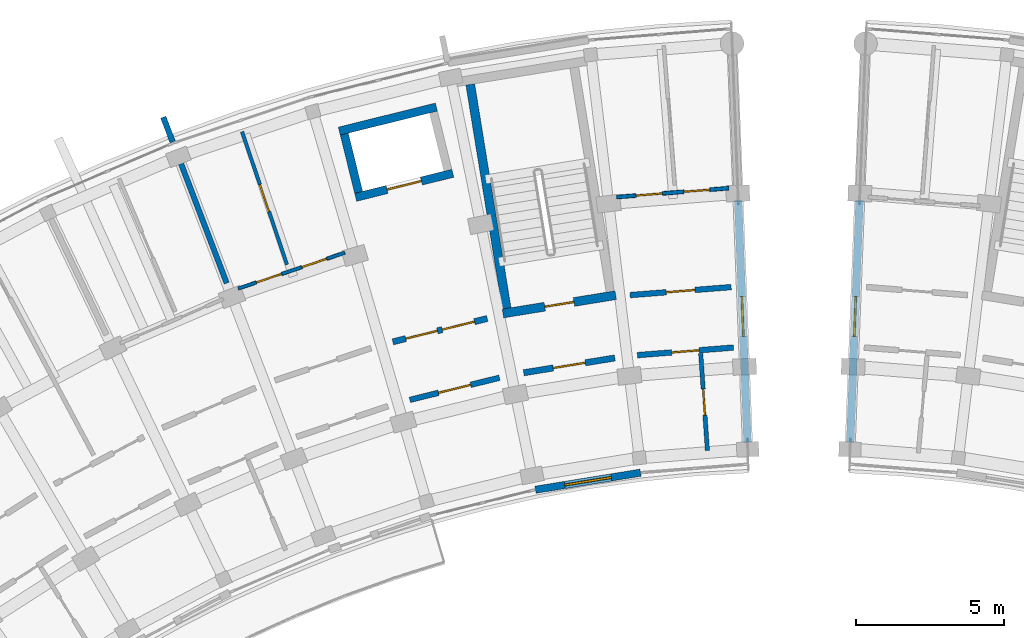
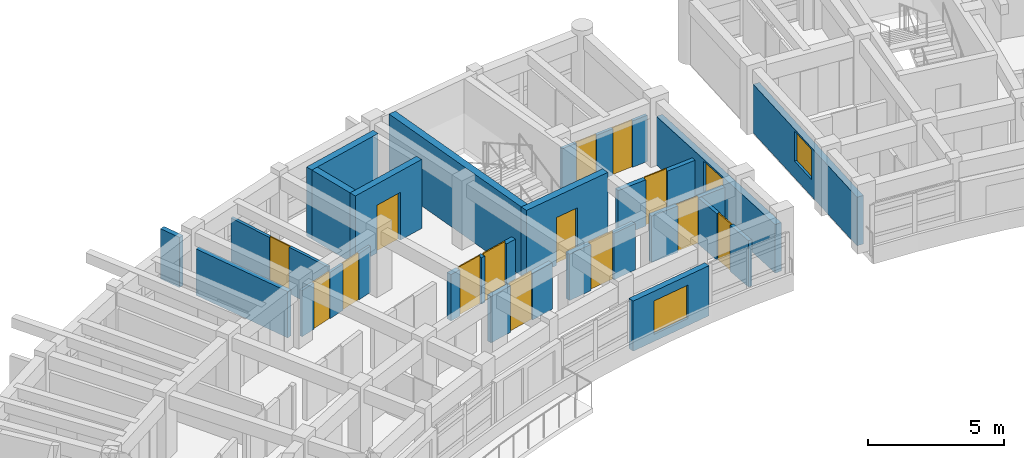
# One storey, part 29 of 56: 19 walls, 14 doors, 3 windows, 17 openings.
"""IFC4 building model written with IfcOpenShell, lengths in metres."""

from ifc_helpers import new_model, si_unit, direction, frame, frame_2d, origin, place, context, subcontext, project, spatial, rectangle, extrude, material, layer, layer_set, type_object, element, fill, save


model = new_model("IFC4")

# Units and contexts
model_context = context("Model", 3, precision=1e-05, world=origin(), true_north=direction((0.0, 1.0)))
body_context = subcontext(model_context, "Body", "Model", "MODEL_VIEW")
ifc_project = project(units=[si_unit("LENGTHUNIT", "METRE"), si_unit("AREAUNIT", "SQUARE_METRE"), si_unit("VOLUMEUNIT", "CUBIC_METRE"), si_unit("PLANEANGLEUNIT", "RADIAN"), si_unit("MASSUNIT", "GRAM", prefix="KILO")], contexts=[model_context])

# Site, building, storey
site_placement = place(None, origin())
site = spatial("IfcSite", under=ifc_project, at=site_placement, CompositionType="ELEMENT")
building_placement = place(site_placement, origin())
building = spatial("IfcBuilding", under=site, at=building_placement, Name="Zimvara Arc Housing Community", CompositionType="ELEMENT")
storey_placement = place(building_placement, frame((0.0, 0.0, 17.39990234375)))
storey = spatial("IfcBuildingStorey", under=building, at=storey_placement, Name="L05", CompositionType="ELEMENT", Elevation=17.39990234375)

# Wall, opening, window
ifc_material_1 = material(Name="Board-Marked Fair-Faced Concrete C35/45", Category="concrete")
ifc_layer_1 = layer(ifc_material_1, 0.264892578125)
ifc_layer_set_1 = layer_set([ifc_layer_1], Name="Board-Marked Fair-Faced Concrete C35/45")
wall_type_1 = type_object("IfcWallType", Name="EWL-CONC-265", PredefinedType="SOLIDWALL", material=ifc_layer_set_1)
wall_1_placement = place(storey_placement, frame((43.2587890625, 89.82666015625, 0.0), z_axis=(0.0, 0.0, 1.0), x_axis=(-0.038407966241, 0.999262141847, 0.0)))
wall_1 = element("IfcWall", 1, at=wall_1_placement, inside=storey, type_object=wall_type_1, Name="ewall:blkA:L05:gN", PredefinedType="SOLIDWALL", context=body_context, shape_type="SweptSolid", body=[
    extrude(rectangle(XDim=8.199951171875, YDim=0.264892578125, at=frame_2d((4.10009765625, 0.0))), origin(), (0.0, 0.0, 1.0), 2.18017578125),
])
opening_1_placement = place(wall_1_placement, frame((3.590087890625, 0.0, 0.75)))
opening_1 = element("IfcOpeningElement", 2, at=opening_1_placement, cuts=wall_1, Name="Opening W12", PredefinedType="OPENING", context=body_context, shape_type="SweptSolid", body=[
    extrude(rectangle(XDim=1.35009765625, YDim=1.35009765625, at=frame_2d((0.675048828125, 0.675048828125))), frame((0.0, 0.142333984375, 0.0), z_axis=(0.0, -1.0, 0.0), x_axis=(1.0, 0.0, 0.0)), (0.0, 0.0, 1.0), 0.284912109375),
])
ifc_material_2 = material(Name="Solar Control Low-E Double Glazing", Category="glass")
window_type_1 = type_object("IfcWindowType", Name="WIN-RES-1350x1350", PartitioningType="DOUBLE_PANEL_VERTICAL", PredefinedType="WINDOW", material=ifc_material_2)
window_1_placement = place(opening_1_placement, origin())
window_1 = element("IfcWindow", 3, at=window_1_placement, inside=storey, type_object=window_type_1, Name="win:blkA:L05:gN:w", OverallHeight=1.35009765625, OverallWidth=1.35009765625, PartitioningType="DOUBLE_PANEL_VERTICAL", PredefinedType="WINDOW", context=body_context, shape_type="SweptSolid", body=[
    extrude(rectangle(XDim=1.35009765625, YDim=1.35009765625, at=frame_2d((0.675048828125, 0.675048828125))), frame((0.0, 0.030029296875, 0.0), z_axis=(0.0, -1.0, 0.0), x_axis=(1.0, 0.0, 0.0)), (0.0, 0.0, 1.0), 0.06005859375),
])
fill(opening_1, window_1)

wall_2_placement = place(storey_placement, frame((46.7412109375, 89.82666015625, 0.0), z_axis=(0.0, 0.0, 1.0), x_axis=(0.038407966241, 0.999262141847, 0.0)))
wall_2 = element("IfcWall", 4, at=wall_2_placement, inside=storey, type_object=wall_type_1, Name="ewall:blkB:L05:g0", PredefinedType="SOLIDWALL", context=body_context, shape_type="SweptSolid", body=[
    extrude(rectangle(XDim=8.199951171875, YDim=0.264892578125, at=frame_2d((4.10009765625, 0.0))), origin(), (0.0, 0.0, 1.0), 2.18017578125),
])
opening_2_placement = place(wall_2_placement, frame((3.590087890625, 0.0, 0.75)))
opening_2 = element("IfcOpeningElement", 5, at=opening_2_placement, cuts=wall_2, Name="Opening W12", PredefinedType="OPENING", context=body_context, shape_type="SweptSolid", body=[
    extrude(rectangle(XDim=1.35009765625, YDim=1.35009765625, at=frame_2d((0.675048828125, 0.675048828125))), frame((0.0, 0.142333984375, 0.0), z_axis=(0.0, -1.0, 0.0), x_axis=(1.0, 0.0, 0.0)), (0.0, 0.0, 1.0), 0.284912109375),
])
window_2_placement = place(opening_2_placement, origin())
window_2 = element("IfcWindow", 6, at=window_2_placement, inside=storey, type_object=window_type_1, Name="win:blkB:L05:g0:w", OverallHeight=1.35009765625, OverallWidth=1.35009765625, PartitioningType="DOUBLE_PANEL_VERTICAL", PredefinedType="WINDOW", context=body_context, shape_type="SweptSolid", body=[
    extrude(rectangle(XDim=1.35009765625, YDim=1.35009765625, at=frame_2d((0.675048828125, 0.675048828125))), frame((0.0, 0.030029296875, 0.0), z_axis=(0.0, -1.0, 0.0), x_axis=(1.0, 0.0, 0.0)), (0.0, 0.0, 1.0), 0.06005859375),
])
fill(opening_2, window_2)

# Wall
ifc_material_3 = material(Name="Board-Marked Fair-Faced Concrete C35/45", Category="concrete")
ifc_layer_2 = layer(ifc_material_3, 0.195068359375)
ifc_layer_set_2 = layer_set([ifc_layer_2], Name="Board-Marked Fair-Faced Concrete C35/45")
wall_type_2 = type_object("IfcWallType", Name="EWL-PARA-195", PredefinedType="PARAPET", material=ifc_layer_set_2)
wall_3_placement = place(storey_placement, frame((23.783203125, 100.0029296875, 0.0), z_axis=(0.0, 0.0, 1.0), x_axis=(-0.356942580168, 0.934126326823, 0.0)))
element("IfcWall", 7, at=wall_3_placement, inside=storey, type_object=wall_type_2, Name="finwall:blkA:L05:out:b6", PredefinedType="PARAPET", context=body_context, shape_type="SweptSolid", body=[
    extrude(rectangle(XDim=0.900146484375, YDim=0.195068359375, at=frame_2d((0.4501953125, 0.0))), origin(), (0.0, 0.0, 1.0), 2.25),
])

# Wall, opening, window
ifc_material_4 = material(Name="Pigmented Fair-Faced Concrete C35/45", Category="concrete")
ifc_layer_3 = layer(ifc_material_4, 0.2451171875)
ifc_layer_set_3 = layer_set([ifc_layer_3], Name="Pigmented Fair-Faced Concrete C35/45")
wall_type_3 = type_object("IfcWallType", Name="EWL-PIGM-245", PredefinedType="SOLIDWALL", material=ifc_layer_set_3)
wall_4_placement = place(storey_placement, frame((36.078125, 88.218017578125, 0.0), z_axis=(0.0, 0.0, 1.0), x_axis=(0.987080874485, 0.160222804952, 0.0)))
wall_4 = element("IfcWall", 8, at=wall_4_placement, inside=storey, type_object=wall_type_3, Name="ewall:blkA:L05:in:b8", PredefinedType="SOLIDWALL", context=body_context, shape_type="SweptSolid", body=[
    extrude(rectangle(XDim=3.603759765625, YDim=0.2451171875, at=frame_2d((1.8017578125, 0.0))), origin(), (0.0, 0.0, 1.0), 2.25),
])
opening_3_placement = place(wall_4_placement, frame((1.001708984375, 0.0, 0.320068359375)))
opening_3 = element("IfcOpeningElement", 9, at=opening_3_placement, cuts=wall_4, Name="Opening W03", PredefinedType="OPENING", context=body_context, shape_type="SweptSolid", body=[
    extrude(rectangle(XDim=1.60009765625, YDim=1.5, at=frame_2d((0.800048828125, 0.75))), frame((0.0, 0.132568359375, 0.0), z_axis=(0.0, -1.0, 0.0), x_axis=(1.0, 0.0, 0.0)), (0.0, 0.0, 1.0), 0.26513671875),
])
ifc_material_5 = material(Name="Solar Control Low-E Double Glazing", Category="glass")
window_type_2 = type_object("IfcWindowType", Name="WIN-RES-1600x1500", PartitioningType="DOUBLE_PANEL_VERTICAL", PredefinedType="WINDOW", material=ifc_material_5)
window_3_placement = place(opening_3_placement, origin())
window_3 = element("IfcWindow", 10, at=window_3_placement, inside=storey, type_object=window_type_2, Name="win:blkA:L05:in:b8", OverallHeight=1.5, OverallWidth=1.60009765625, PartitioningType="DOUBLE_PANEL_VERTICAL", PredefinedType="WINDOW", context=body_context, shape_type="SweptSolid", body=[
    extrude(rectangle(XDim=1.60009765625, YDim=1.5, at=frame_2d((0.800048828125, 0.75))), frame((0.0, 0.030029296875, 0.0), z_axis=(0.0, -1.0, 0.0), x_axis=(1.0, 0.0, 0.0)), (0.0, 0.0, 1.0), 0.06005859375),
])
fill(opening_3, window_3)

# Wall, openings, doors
ifc_material_6 = material(Name="Concrete C35/45", Category="concrete")
ifc_layer_4 = layer(ifc_material_6, 0.2099609375)
ifc_layer_set_4 = layer_set([ifc_layer_4], Name="Concrete C35/45")
wall_type_4 = type_object("IfcWallType", Name="IWL-CCF-210", PredefinedType="SOLIDWALL", material=ifc_layer_set_4)
wall_5_placement = place(storey_placement, frame((31.242919921875, 93.22998046875, 0.0), z_axis=(0.0, 0.0, 1.0), x_axis=(0.970719238682, 0.240216901263, 0.0)))
wall_5 = element("IfcWall", 11, at=wall_5_placement, inside=storey, type_object=wall_type_4, Name="iwall:blkA:L05:ll_div:b7", PredefinedType="SOLIDWALL", context=body_context, shape_type="SweptSolid", body=[
    extrude(rectangle(XDim=3.2958984375, YDim=0.2099609375, at=frame_2d((1.64794921875, 0.0))), origin(), (0.0, 0.0, 1.0), 2.080078125),
])
opening_4_placement = place(wall_5_placement, frame((0.449951171875, 0.0, 0.0)))
opening_4 = element("IfcOpeningElement", 12, at=opening_4_placement, cuts=wall_5, Name="Opening FD-CCF1", PredefinedType="OPENING", context=body_context, shape_type="SweptSolid", body=[
    extrude(rectangle(XDim=1.10009765625, YDim=2.14990234375, at=frame_2d((0.550048828125, 1.074951171875))), frame((0.0, 0.114990234375, 0.0), z_axis=(0.0, -1.0, 0.0), x_axis=(1.0, 0.0, 0.0)), (0.0, 0.0, 1.0), 0.22998046875),
])
opening_5_placement = place(wall_5_placement, frame((1.72607421875, 0.0, 0.0)))
opening_5 = element("IfcOpeningElement", 13, at=opening_5_placement, cuts=wall_5, Name="Opening D07", PredefinedType="OPENING", context=body_context, shape_type="SweptSolid", body=[
    extrude(rectangle(XDim=1.1201171875, YDim=2.14990234375, at=frame_2d((0.56005859375, 1.074951171875))), frame((0.0, 0.114990234375, 0.0), z_axis=(0.0, -1.0, 0.0), x_axis=(1.0, 0.0, 0.0)), (0.0, 0.0, 1.0), 0.22998046875),
])
ifc_material_7 = material(Name="Mozambican Hardwood", Category="wood")
door_type_1 = type_object("IfcDoorType", Name="IDR-AMN-1120x2150", OperationType="NOTDEFINED", PredefinedType="DOOR", material=ifc_material_7)
door_1_placement = place(opening_5_placement, origin())
door_1 = element("IfcDoor", 14, at=door_1_placement, inside=storey, type_object=door_type_1, Name="idoor:blkA:L05:rs_in:b7", OperationType="SINGLE_SWING_LEFT", OverallHeight=2.14990234375, OverallWidth=1.1201171875, PredefinedType="DOOR", context=body_context, shape_type="SweptSolid", body=[
    extrude(rectangle(XDim=1.1201171875, YDim=2.14990234375, at=frame_2d((0.56005859375, 1.074951171875))), frame((0.0, 0.02490234375, 0.0), z_axis=(0.0, -1.0, 0.0), x_axis=(1.0, 0.0, 0.0)), (0.0, 0.0, 1.0), 0.050048828125),
])
fill(opening_5, door_1)
ifc_material_8 = material(Name="Anodised Aluminium AW-6063", Category="aluminium")
door_type_2 = type_object("IfcDoorType", Name="IDR-CCF-1100x2150", OperationType="NOTDEFINED", PredefinedType="DOOR", material=ifc_material_8)
door_2_placement = place(opening_4_placement, origin())
door_2 = element("IfcDoor", 15, at=door_2_placement, inside=storey, type_object=door_type_2, Name="idoor:blkA:L05:ll_in:b7", OperationType="SINGLE_SWING_RIGHT", OverallHeight=2.14990234375, OverallWidth=1.10009765625, PredefinedType="DOOR", context=body_context, shape_type="SweptSolid", body=[
    extrude(rectangle(XDim=1.10009765625, YDim=2.14990234375, at=frame_2d((0.550048828125, 1.074951171875))), frame((0.0, 0.02490234375, 0.0), z_axis=(0.0, -1.0, 0.0), x_axis=(1.0, 0.0, 0.0)), (0.0, 0.0, 1.0), 0.050048828125),
])
fill(opening_4, door_2)

# Wall, opening, door
wall_6_placement = place(storey_placement, frame((35.675537109375, 92.181396484375, 0.0), z_axis=(0.0, 0.0, 1.0), x_axis=(0.98707079686, 0.160284877599, 0.0)))
wall_6 = element("IfcWall", 16, at=wall_6_placement, inside=storey, type_object=wall_type_4, Name="iwall:blkA:L05:ccf_div:b8", PredefinedType="SOLIDWALL", context=body_context, shape_type="SweptSolid", body=[
    extrude(rectangle(XDim=3.128662109375, YDim=0.2099609375, at=frame_2d((1.564453125, 0.0))), origin(), (0.0, 0.0, 1.0), 2.080078125),
])
opening_6_placement = place(wall_6_placement, frame((1.014404296875, 0.0, 0.0)))
opening_6 = element("IfcOpeningElement", 17, at=opening_6_placement, cuts=wall_6, Name="Opening FD-CCF1", PredefinedType="OPENING", context=body_context, shape_type="SweptSolid", body=[
    extrude(rectangle(XDim=1.10009765625, YDim=2.14990234375, at=frame_2d((0.550048828125, 1.074951171875))), frame((0.0, 0.114990234375, 0.0), z_axis=(0.0, -1.0, 0.0), x_axis=(1.0, 0.0, 0.0)), (0.0, 0.0, 1.0), 0.22998046875),
])
door_3_placement = place(opening_6_placement, origin())
door_3 = element("IfcDoor", 18, at=door_3_placement, inside=storey, type_object=door_type_2, Name="idoor:blkA:L05:ccf_in:b8", OperationType="SINGLE_SWING_LEFT", OverallHeight=2.14990234375, OverallWidth=1.10009765625, PredefinedType="DOOR", context=body_context, shape_type="SweptSolid", body=[
    extrude(rectangle(XDim=1.10009765625, YDim=2.14990234375, at=frame_2d((0.550048828125, 1.074951171875))), frame((0.0, 0.02490234375, 0.0), z_axis=(0.0, -1.0, 0.0), x_axis=(1.0, 0.0, 0.0)), (0.0, 0.0, 1.0), 0.050048828125),
])
fill(opening_6, door_3)

ifc_material_9 = material(Name="Concrete C35/45", Category="concrete")
ifc_layer_5 = layer(ifc_material_9, 0.18994140625)
ifc_layer_set_5 = layer_set([ifc_layer_5], Name="Concrete C35/45")
wall_type_5 = type_object("IfcWallType", Name="IWL-CORR-190", PredefinedType="SOLIDWALL", material=ifc_layer_set_5)
wall_7_placement = place(storey_placement, frame((31.816162109375, 91.26171875, 0.0), z_axis=(0.0, 0.0, 1.0), x_axis=(0.970727194092, 0.240184751078, 0.0)))
wall_7 = element("IfcWall", 19, at=wall_7_placement, inside=storey, type_object=wall_type_5, Name="iwall:blkA:L05:ra_div:b7", PredefinedType="SOLIDWALL", context=body_context, shape_type="SweptSolid", body=[
    extrude(rectangle(XDim=3.128662109375, YDim=0.18994140625, at=frame_2d((1.564453125, 0.0))), origin(), (0.0, 0.0, 1.0), 2.080078125),
])
opening_7_placement = place(wall_7_placement, frame((1.00439453125, 0.0, 0.0)))
opening_7 = element("IfcOpeningElement", 20, at=opening_7_placement, cuts=wall_7, Name="Opening D07", PredefinedType="OPENING", context=body_context, shape_type="SweptSolid", body=[
    extrude(rectangle(XDim=1.1201171875, YDim=2.14990234375, at=frame_2d((0.56005859375, 1.074951171875))), frame((0.0, 0.10498046875, 0.0), z_axis=(0.0, -1.0, 0.0), x_axis=(1.0, 0.0, 0.0)), (0.0, 0.0, 1.0), 0.2099609375),
])
door_4_placement = place(opening_7_placement, origin())
door_4 = element("IfcDoor", 21, at=door_4_placement, inside=storey, type_object=door_type_1, Name="idoor:blkA:L05:ra_d:b7", OperationType="SINGLE_SWING_RIGHT", OverallHeight=2.14990234375, OverallWidth=1.1201171875, PredefinedType="DOOR", context=body_context, shape_type="SweptSolid", body=[
    extrude(rectangle(XDim=1.1201171875, YDim=2.14990234375, at=frame_2d((0.56005859375, 1.074951171875))), frame((0.0, 0.02490234375, 0.0), z_axis=(0.0, -1.0, 0.0), x_axis=(1.0, 0.0, 0.0)), (0.0, 0.0, 1.0), 0.050048828125),
])
fill(opening_7, door_4)

wall_8_placement = place(storey_placement, frame((39.281494140625, 94.81298828125, 0.0), z_axis=(0.0, 0.0, 1.0), x_axis=(0.996862545573, 0.079152165058, 0.0)))
wall_8 = element("IfcWall", 22, at=wall_8_placement, inside=storey, type_object=wall_type_5, Name="iwall:blkA:L05:corr_out:b9", PredefinedType="SOLIDWALL", context=body_context, shape_type="SweptSolid", body=[
    extrude(rectangle(XDim=3.43603515625, YDim=0.18994140625, at=frame_2d((1.718017578125, 0.0))), origin(), (0.0, 0.0, 1.0), 2.080078125),
])
opening_8_placement = place(wall_8_placement, frame((1.22802734375, 0.0, 0.0)))
opening_8 = element("IfcOpeningElement", 23, at=opening_8_placement, cuts=wall_8, Name="Opening FD-FL1", PredefinedType="OPENING", context=body_context, shape_type="SweptSolid", body=[
    extrude(rectangle(XDim=0.97998046875, YDim=2.14990234375, at=frame_2d((0.489990234375, 1.074951171875))), frame((0.0, 0.10498046875, 0.0), z_axis=(0.0, -1.0, 0.0), x_axis=(1.0, 0.0, 0.0)), (0.0, 0.0, 1.0), 0.2099609375),
])
ifc_material_10 = material(Name="Mozambican Hardwood", Category="wood")
door_type_3 = type_object("IfcDoorType", Name="IDR-FLAT-0980x2150", OperationType="NOTDEFINED", PredefinedType="DOOR", material=ifc_material_10)
door_5_placement = place(opening_8_placement, origin())
door_5 = element("IfcDoor", 24, at=door_5_placement, inside=storey, type_object=door_type_3, Name="idoor:blkA:L05:flat:b9", OperationType="SINGLE_SWING_RIGHT", OverallHeight=2.14990234375, OverallWidth=0.97998046875, PredefinedType="DOOR", context=body_context, shape_type="SweptSolid", body=[
    extrude(rectangle(XDim=0.97998046875, YDim=2.14990234375, at=frame_2d((0.489990234375, 1.074951171875))), frame((0.0, 0.02490234375, 0.0), z_axis=(0.0, -1.0, 0.0), x_axis=(1.0, 0.0, 0.0)), (0.0, 0.0, 1.0), 0.050048828125),
])
fill(opening_8, door_5)

wall_9_placement = place(storey_placement, frame((39.527099609375, 92.77783203125, 0.0), z_axis=(0.0, 0.0, 1.0), x_axis=(0.99686660806, 0.07910098441, 0.0)))
wall_9 = element("IfcWall", 25, at=wall_9_placement, inside=storey, type_object=wall_type_5, Name="iwall:blkA:L05:corr_in:b9", PredefinedType="SOLIDWALL", context=body_context, shape_type="SweptSolid", body=[
    extrude(rectangle(XDim=3.2685546875, YDim=0.18994140625, at=frame_2d((1.63427734375, 0.0))), origin(), (0.0, 0.0, 1.0), 2.080078125),
])
opening_9_placement = place(wall_9_placement, frame((1.164306640625, 0.0, 0.0)))
opening_9 = element("IfcOpeningElement", 26, at=opening_9_placement, cuts=wall_9, Name="Opening D03", PredefinedType="OPENING", context=body_context, shape_type="SweptSolid", body=[
    extrude(rectangle(XDim=0.93994140625, YDim=2.10009765625, at=frame_2d((0.469970703125, 1.050048828125))), frame((0.0, 0.10498046875, 0.0), z_axis=(0.0, -1.0, 0.0), x_axis=(1.0, 0.0, 0.0)), (0.0, 0.0, 1.0), 0.2099609375),
])
ifc_material_11 = material(Name="Mozambican Hardwood", Category="wood")
door_type_4 = type_object("IfcDoorType", Name="IDR-RM-0940x2100", OperationType="NOTDEFINED", PredefinedType="DOOR", material=ifc_material_11)
door_6_placement = place(opening_9_placement, origin())
door_6 = element("IfcDoor", 27, at=door_6_placement, inside=storey, type_object=door_type_4, Name="idoor:blkA:L05:in_rm:b9", OperationType="SINGLE_SWING_LEFT", OverallHeight=2.10009765625, OverallWidth=0.93994140625, PredefinedType="DOOR", context=body_context, shape_type="SweptSolid", body=[
    extrude(rectangle(XDim=0.93994140625, YDim=2.10009765625, at=frame_2d((0.469970703125, 1.050048828125))), frame((0.0, 0.02490234375, 0.0), z_axis=(0.0, -1.0, 0.0), x_axis=(1.0, 0.0, 0.0)), (0.0, 0.0, 1.0), 0.050048828125),
])
fill(opening_9, door_6)

# Wall
ifc_material_12 = material(Name="Concrete C35/45", Category="concrete")
ifc_layer_6 = layer(ifc_material_12, 0.18505859375)
ifc_layer_set_6 = layer_set([ifc_layer_6], Name="Concrete C35/45")
wall_type_6 = type_object("IfcWallType", Name="IWL-FLAT-185", PredefinedType="SOLIDWALL", material=ifc_layer_set_6)
wall_10_placement = place(storey_placement, frame((25.611328125, 95.220458984375, 0.0), z_axis=(0.0, 0.0, 1.0), x_axis=(-0.357064016205, 0.934079915388, 0.0)))
element("IfcWall", 28, at=wall_10_placement, inside=storey, type_object=wall_type_6, Name="iwall:blkA:L05:party:b6", PredefinedType="SOLIDWALL", context=body_context, shape_type="SweptSolid", body=[
    extrude(rectangle(XDim=4.35009765625, YDim=0.18505859375, at=frame_2d((2.175048828125, 0.0))), origin(), (0.0, 0.0, 1.0), 2.080078125),
])

# Wall, openings, doors
ifc_material_13 = material(Name="Painted Acoustic Plasterboard")
ifc_layer_7 = layer(ifc_material_13, 0.110107421875)
ifc_layer_set_7 = layer_set([ifc_layer_7], Name="Painted Acoustic Plasterboard")
wall_type_7 = type_object("IfcWallType", Name="IWL-PART-110", PredefinedType="PARTITIONING", material=ifc_layer_set_7)
wall_11_placement = place(storey_placement, frame((26.0029296875, 95.035888671875, 0.0), z_axis=(0.0, 0.0, 1.0), x_axis=(0.947879193428, 0.318629933725, 0.0)))
wall_11 = element("IfcWall", 29, at=wall_11_placement, inside=storey, type_object=wall_type_7, Name="iwall:blkA:L05:srv:b6", PredefinedType="PARTITIONING", context=body_context, shape_type="SweptSolid", body=[
    extrude(rectangle(XDim=3.8095703125, YDim=0.110107421875, at=frame_2d((1.90478515625, 0.0))), origin(), (0.0, 0.0, 1.0), 2.080078125),
])
opening_10_placement = place(wall_11_placement, frame((0.64990234375, 0.0, 0.0)))
opening_10 = element("IfcOpeningElement", 30, at=opening_10_placement, cuts=wall_11, Name="Opening D01", PredefinedType="OPENING", context=body_context, shape_type="SweptSolid", body=[
    extrude(rectangle(XDim=0.89990234375, YDim=2.10009765625, at=frame_2d((0.449951171875, 1.050048828125))), frame((0.0, 0.06494140625, 0.0), z_axis=(0.0, -1.0, 0.0), x_axis=(1.0, 0.0, 0.0)), (0.0, 0.0, 1.0), 0.130126953125),
])
opening_11_placement = place(wall_11_placement, frame((2.279541015625, 0.0, 0.0)))
opening_11 = element("IfcOpeningElement", 31, at=opening_11_placement, cuts=wall_11, Name="Opening D05", PredefinedType="OPENING", context=body_context, shape_type="SweptSolid", body=[
    extrude(rectangle(XDim=0.8798828125, YDim=2.10009765625, at=frame_2d((0.43994140625, 1.050048828125))), frame((0.0, 0.06494140625, 0.0), z_axis=(0.0, -1.0, 0.0), x_axis=(1.0, 0.0, 0.0)), (0.0, 0.0, 1.0), 0.130126953125),
])
ifc_material_14 = material(Name="Mozambican Hardwood", Category="wood")
door_type_5 = type_object("IfcDoorType", Name="IDR-RM-0900x2100", OperationType="NOTDEFINED", PredefinedType="DOOR", material=ifc_material_14)
door_7_placement = place(opening_10_placement, origin())
door_7 = element("IfcDoor", 32, at=door_7_placement, inside=storey, type_object=door_type_5, Name="idoor:blkA:L05:kit_liv:b6", OperationType="SINGLE_SWING_LEFT", OverallHeight=2.10009765625, OverallWidth=0.89990234375, PredefinedType="DOOR", context=body_context, shape_type="SweptSolid", body=[
    extrude(rectangle(XDim=0.89990234375, YDim=2.10009765625, at=frame_2d((0.449951171875, 1.050048828125))), frame((0.0, 0.02490234375, 0.0), z_axis=(0.0, -1.0, 0.0), x_axis=(1.0, 0.0, 0.0)), (0.0, 0.0, 1.0), 0.050048828125),
])
fill(opening_10, door_7)
ifc_material_15 = material(Name="Mozambican Hardwood", Category="wood")
door_type_6 = type_object("IfcDoorType", Name="IDR-WC-0880x2100", OperationType="NOTDEFINED", PredefinedType="DOOR", material=ifc_material_15)
door_8_placement = place(opening_11_placement, origin())
door_8 = element("IfcDoor", 33, at=door_8_placement, inside=storey, type_object=door_type_6, Name="idoor:blkA:L05:bath_d:b6", OperationType="SINGLE_SWING_RIGHT", OverallHeight=2.10009765625, OverallWidth=0.8798828125, PredefinedType="DOOR", context=body_context, shape_type="SweptSolid", body=[
    extrude(rectangle(XDim=0.8798828125, YDim=2.10009765625, at=frame_2d((0.43994140625, 1.050048828125))), frame((0.0, 0.02490234375, 0.0), z_axis=(0.0, -1.0, 0.0), x_axis=(1.0, 0.0, 0.0)), (0.0, 0.0, 1.0), 0.050048828125),
])
fill(opening_11, door_8)

# Wall, opening, door
ifc_material_16 = material(Name="Painted Acoustic Plasterboard")
ifc_layer_8 = layer(ifc_material_16, 0.1201171875)
ifc_layer_set_8 = layer_set([ifc_layer_8], Name="Painted Acoustic Plasterboard")
wall_type_8 = type_object("IfcWallType", Name="IWL-PART-120", PredefinedType="PARTITIONING", material=ifc_layer_set_8)
wall_12_placement = place(storey_placement, frame((27.65283203125, 95.848876953125, 0.0), z_axis=(0.0, 0.0, 1.0), x_axis=(-0.320049134076, 0.947400945628, 0.0)))
wall_12 = element("IfcWall", 34, at=wall_12_placement, inside=storey, type_object=wall_type_8, Name="iwall:blkA:L05:bed_div:b6", PredefinedType="PARTITIONING", context=body_context, shape_type="SweptSolid", body=[
    extrude(rectangle(XDim=4.75, YDim=0.1201171875, at=frame_2d((2.375, 0.0))), origin(), (0.0, 0.0, 1.0), 2.080078125),
])
opening_12_placement = place(wall_12_placement, frame((1.889892578125, 0.0, 0.0)))
opening_12 = element("IfcOpeningElement", 35, at=opening_12_placement, cuts=wall_12, Name="Opening D14", PredefinedType="OPENING", context=body_context, shape_type="SweptSolid", body=[
    extrude(rectangle(XDim=0.969970703125, YDim=2.10009765625, at=frame_2d((0.48486328125, 1.050048828125))), frame((0.0, 0.070068359375, 0.0), z_axis=(0.0, -1.0, 0.0), x_axis=(1.0, 0.0, 0.0)), (0.0, 0.0, 1.0), 0.14013671875),
])
ifc_material_17 = material(Name="Mozambican Hardwood", Category="wood")
door_type_7 = type_object("IfcDoorType", Name="IDR-MOD-970x2080", OperationType="NOTDEFINED", PredefinedType="DOOR", material=ifc_material_17)
door_9_placement = place(opening_12_placement, origin())
door_9 = element("IfcDoor", 36, at=door_9_placement, inside=storey, type_object=door_type_7, Name="idoor:blkA:L05:bed_d:b6", OperationType="SINGLE_SWING_LEFT", OverallHeight=2.10009765625, OverallWidth=0.969970703125, PredefinedType="DOOR", context=body_context, shape_type="SweptSolid", body=[
    extrude(rectangle(XDim=0.969970703125, YDim=2.10009765625, at=frame_2d((0.48486328125, 1.050048828125))), frame((0.0, 0.02490234375, 0.0), z_axis=(0.0, -1.0, 0.0), x_axis=(1.0, 0.0, 0.0)), (0.0, 0.0, 1.0), 0.050048828125),
])
fill(opening_12, door_9)

# Wall, openings, doors
ifc_material_18 = material(Name="Painted Acoustic Plasterboard")
ifc_layer_9 = layer(ifc_material_18, 0.125)
ifc_layer_set_9 = layer_set([ifc_layer_9], Name="Painted Acoustic Plasterboard")
wall_type_9 = type_object("IfcWallType", Name="IWL-PART-125", PredefinedType="PARTITIONING", material=ifc_layer_set_9)
wall_13_placement = place(storey_placement, frame((38.830322265625, 98.135009765625, 0.0), z_axis=(0.0, 0.0, 1.0), x_axis=(0.996862985267, 0.079146627246, 0.0)))
wall_13 = element("IfcWall", 37, at=wall_13_placement, inside=storey, type_object=wall_type_9, Name="iwall:blkA:L05:srv:b9", PredefinedType="PARTITIONING", context=body_context, shape_type="SweptSolid", body=[
    extrude(rectangle(XDim=3.8095703125, YDim=0.125, at=frame_2d((1.90478515625, 0.0))), origin(), (0.0, 0.0, 1.0), 2.080078125),
])
opening_13_placement = place(wall_13_placement, frame((0.64990234375, 0.0, 0.0)))
opening_13 = element("IfcOpeningElement", 38, at=opening_13_placement, cuts=wall_13, Name="Opening D01", PredefinedType="OPENING", context=body_context, shape_type="SweptSolid", body=[
    extrude(rectangle(XDim=0.89990234375, YDim=2.10009765625, at=frame_2d((0.449951171875, 1.050048828125))), frame((0.0, 0.072509765625, 0.0), z_axis=(0.0, -1.0, 0.0), x_axis=(1.0, 0.0, 0.0)), (0.0, 0.0, 1.0), 0.14501953125),
])
opening_14_placement = place(wall_13_placement, frame((2.279541015625, 0.0, 0.0)))
opening_14 = element("IfcOpeningElement", 39, at=opening_14_placement, cuts=wall_13, Name="Opening D05", PredefinedType="OPENING", context=body_context, shape_type="SweptSolid", body=[
    extrude(rectangle(XDim=0.8798828125, YDim=2.10009765625, at=frame_2d((0.43994140625, 1.050048828125))), frame((0.0, 0.072509765625, 0.0), z_axis=(0.0, -1.0, 0.0), x_axis=(1.0, 0.0, 0.0)), (0.0, 0.0, 1.0), 0.14501953125),
])
door_10_placement = place(opening_13_placement, origin())
door_10 = element("IfcDoor", 40, at=door_10_placement, inside=storey, type_object=door_type_5, Name="idoor:blkA:L05:kit_liv:b9", OperationType="SINGLE_SWING_LEFT", OverallHeight=2.10009765625, OverallWidth=0.89990234375, PredefinedType="DOOR", context=body_context, shape_type="SweptSolid", body=[
    extrude(rectangle(XDim=0.89990234375, YDim=2.10009765625, at=frame_2d((0.449951171875, 1.050048828125))), frame((0.0, 0.02490234375, 0.0), z_axis=(0.0, -1.0, 0.0), x_axis=(1.0, 0.0, 0.0)), (0.0, 0.0, 1.0), 0.050048828125),
])
fill(opening_13, door_10)
door_11_placement = place(opening_14_placement, origin())
door_11 = element("IfcDoor", 41, at=door_11_placement, inside=storey, type_object=door_type_6, Name="idoor:blkA:L05:bath_d:b9", OperationType="SINGLE_SWING_RIGHT", OverallHeight=2.10009765625, OverallWidth=0.8798828125, PredefinedType="DOOR", context=body_context, shape_type="SweptSolid", body=[
    extrude(rectangle(XDim=0.8798828125, YDim=2.10009765625, at=frame_2d((0.43994140625, 1.050048828125))), frame((0.0, 0.02490234375, 0.0), z_axis=(0.0, -1.0, 0.0), x_axis=(1.0, 0.0, 0.0)), (0.0, 0.0, 1.0), 0.050048828125),
])
fill(opening_14, door_11)

# Wall, opening, door
ifc_material_19 = material(Name="Painted Acoustic Plasterboard")
ifc_layer_10 = layer(ifc_material_19, 0.14501953125)
ifc_layer_set_10 = layer_set([ifc_layer_10], Name="Painted Acoustic Plasterboard")
wall_type_10 = type_object("IfcWallType", Name="IWL-WET-145", PredefinedType="PARTITIONING", material=ifc_layer_set_10)
wall_14_placement = place(storey_placement, frame((41.9013671875, 89.54345703125, 0.0), z_axis=(0.0, 0.0, 1.0), x_axis=(-0.068581194944, 0.997645538105, 0.0)))
wall_14 = element("IfcWall", 42, at=wall_14_placement, inside=storey, type_object=wall_type_10, Name="iwall:blkA:L05:ens:b9", PredefinedType="PARTITIONING", context=body_context, shape_type="SweptSolid", body=[
    extrude(rectangle(XDim=3.300048828125, YDim=0.14501953125, at=frame_2d((1.64990234375, 0.0))), origin(), (0.0, 0.0, 1.0), 2.080078125),
])
opening_15_placement = place(wall_14_placement, frame((1.2099609375, 0.0, 0.0)))
opening_15 = element("IfcOpeningElement", 43, at=opening_15_placement, cuts=wall_14, Name="Opening D05", PredefinedType="OPENING", context=body_context, shape_type="SweptSolid", body=[
    extrude(rectangle(XDim=0.8798828125, YDim=2.10009765625, at=frame_2d((0.43994140625, 1.050048828125))), frame((0.0, 0.08251953125, 0.0), z_axis=(0.0, -1.0, 0.0), x_axis=(1.0, 0.0, 0.0)), (0.0, 0.0, 1.0), 0.1650390625),
])
door_12_placement = place(opening_15_placement, origin())
door_12 = element("IfcDoor", 44, at=door_12_placement, inside=storey, type_object=door_type_6, Name="idoor:blkA:L05:ens_d:b9", OperationType="SINGLE_SWING_RIGHT", OverallHeight=2.10009765625, OverallWidth=0.8798828125, PredefinedType="DOOR", context=body_context, shape_type="SweptSolid", body=[
    extrude(rectangle(XDim=0.8798828125, YDim=2.10009765625, at=frame_2d((0.43994140625, 1.050048828125))), frame((0.0, 0.02490234375, 0.0), z_axis=(0.0, -1.0, 0.0), x_axis=(1.0, 0.0, 0.0)), (0.0, 0.0, 1.0), 0.050048828125),
])
fill(opening_15, door_12)

ifc_material_20 = material(Name="Concrete C40/50", Category="concrete")
ifc_layer_11 = layer(ifc_material_20, 0.280029296875)
ifc_layer_set_11 = layer_set([ifc_layer_11], Name="Concrete C40/50")
wall_type_11 = type_object("IfcWallType", Name="WL-CORE-280", PredefinedType="SHEAR", material=ifc_layer_set_11)
wall_15_placement = place(storey_placement, frame((33.27294921875, 98.942138671875, 0.0), z_axis=(0.0, 0.0, 1.0), x_axis=(-0.970707542441, -0.240264160972, 0.0)))
wall_15 = element("IfcWall", 45, at=wall_15_placement, inside=storey, type_object=wall_type_11, Name="lwall:LF-A2:L05:front", PredefinedType="SHEAR", context=body_context, shape_type="SweptSolid", body=[
    extrude(rectangle(XDim=3.389892578125, YDim=0.280029296875, at=frame_2d((1.69482421875, 0.0))), origin(), (0.0, 0.0, 1.0), 3.10009765625),
])
opening_16_placement = place(wall_15_placement, frame((1.094970703125, 0.0, 0.0)))
opening_16 = element("IfcOpeningElement", 46, at=opening_16_placement, cuts=wall_15, Name="Opening LD-LF-A2", PredefinedType="OPENING", context=body_context, shape_type="SweptSolid", body=[
    extrude(rectangle(XDim=1.199951171875, YDim=2.14990234375, at=frame_2d((0.60009765625, 1.074951171875))), frame((0.0, 0.14990234375, 0.0), z_axis=(0.0, -1.0, 0.0), x_axis=(1.0, 0.0, 0.0)), (0.0, 0.0, 1.0), 0.300048828125),
])
ifc_material_21 = material(Name="Anodised Aluminium AW-6063", Category="aluminium")
door_type_8 = type_object("IfcDoorType", Name="IDR-LD-1200x2150", OperationType="DOUBLE_DOOR_SLIDING", PredefinedType="DOOR", material=ifc_material_21)
door_13_placement = place(opening_16_placement, origin())
door_13 = element("IfcDoor", 47, at=door_13_placement, inside=storey, type_object=door_type_8, Name="Lift LF-A2 Sliding Landing Door L05", OperationType="DOUBLE_DOOR_SLIDING", OverallHeight=2.14990234375, OverallWidth=1.199951171875, PredefinedType="DOOR", context=body_context, shape_type="SweptSolid", body=[
    extrude(rectangle(XDim=1.199951171875, YDim=2.14990234375, at=frame_2d((0.60009765625, 1.074951171875))), frame((0.0, 0.02490234375, 0.0), z_axis=(0.0, -1.0, 0.0), x_axis=(1.0, 0.0, 0.0)), (0.0, 0.0, 1.0), 0.050048828125),
])
fill(opening_16, door_13)

# Walls
wall_16_placement = place(storey_placement, frame((32.71826171875, 101.1845703125, 0.0), z_axis=(0.0, 0.0, 1.0), x_axis=(-0.970711699588, -0.240247364777, 0.0)))
element("IfcWall", 48, at=wall_16_placement, inside=storey, type_object=wall_type_11, Name="lwall:LF-A2:L05:back", PredefinedType="SHEAR", context=body_context, shape_type="SweptSolid", body=[
    extrude(rectangle(XDim=3.39013671875, YDim=0.280029296875, at=frame_2d((1.695068359375, 0.0))), origin(), (0.0, 0.0, 1.0), 3.10009765625),
])
wall_17_placement = place(storey_placement, frame((30.084716796875, 98.29736328125, 0.0), z_axis=(0.0, 0.0, 1.0), x_axis=(-0.2402993748, 0.970698825832, 0.0)))
element("IfcWall", 49, at=wall_17_placement, inside=storey, type_object=wall_type_11, Name="lwall:LF-A2:L05:right", PredefinedType="SHEAR", context=body_context, shape_type="SweptSolid", body=[
    extrude(rectangle(XDim=2.030029296875, YDim=0.280029296875, at=frame_2d((1.01513671875, 0.0))), origin(), (0.0, 0.0, 1.0), 3.10009765625),
])

# Wall, opening, door
ifc_material_22 = material(Name="Concrete C40/50", Category="concrete")
ifc_layer_12 = layer(ifc_material_22, 0.300048828125)
ifc_layer_set_12 = layer_set([ifc_layer_12], Name="Concrete C40/50")
wall_type_12 = type_object("IfcWallType", Name="WL-CORE-300", PredefinedType="SHEAR", material=ifc_layer_set_12)
wall_18_placement = place(storey_placement, frame((38.793701171875, 94.810546875, 0.0), z_axis=(0.0, 0.0, 1.0), x_axis=(-0.987077443397, -0.160243941341, 0.0)))
wall_18 = element("IfcWall", 50, at=wall_18_placement, inside=storey, type_object=wall_type_12, Name="cwall:ST-A2:L05:near", PredefinedType="SHEAR", context=body_context, shape_type="SweptSolid", body=[
    extrude(rectangle(XDim=3.869873046875, YDim=0.300048828125, at=frame_2d((1.93505859375, 0.0))), origin(), (0.0, 0.0, 1.0), 3.10009765625),
])
opening_17_placement = place(wall_18_placement, frame((1.43505859375, 0.0, 0.0)))
opening_17 = element("IfcOpeningElement", 51, at=opening_17_placement, cuts=wall_18, Name="Opening FD-ST1", PredefinedType="OPENING", context=body_context, shape_type="SweptSolid", body=[
    extrude(rectangle(XDim=1.0, YDim=2.14990234375, at=frame_2d((0.5, 1.074951171875))), frame((0.0, 0.159912109375, 0.0), z_axis=(0.0, -1.0, 0.0), x_axis=(1.0, 0.0, 0.0)), (0.0, 0.0, 1.0), 0.320068359375),
])
ifc_material_23 = material(Name="Anodised Aluminium AW-6063", Category="aluminium")
door_type_9 = type_object("IfcDoorType", Name="IDR-ST-1000x2150", OperationType="NOTDEFINED", PredefinedType="DOOR", material=ifc_material_23)
door_14_placement = place(opening_17_placement, origin())
door_14 = element("IfcDoor", 52, at=door_14_placement, inside=storey, type_object=door_type_9, Name="idoor:ST-A2:L05:entry", OperationType="SINGLE_SWING_LEFT", OverallHeight=2.14990234375, OverallWidth=1.0, PredefinedType="DOOR", context=body_context, shape_type="SweptSolid", body=[
    extrude(rectangle(XDim=1.0, YDim=2.14990234375, at=frame_2d((0.5, 1.074951171875))), frame((0.0, 0.02490234375, 0.0), z_axis=(0.0, -1.0, 0.0), x_axis=(1.0, 0.0, 0.0)), (0.0, 0.0, 1.0), 0.050048828125),
])
fill(opening_17, door_14)

# Wall
wall_19_placement = place(storey_placement, frame((35.097900390625, 94.362548828125, 0.0), z_axis=(0.0, 0.0, 1.0), x_axis=(-0.160227496777, 0.987080112897, 0.0)))
element("IfcWall", 53, at=wall_19_placement, inside=storey, type_object=wall_type_12, Name="cwall:ST-A2:L05:right", PredefinedType="SHEAR", context=body_context, shape_type="SweptSolid", body=[
    extrude(rectangle(XDim=7.690185546875, YDim=0.300048828125, at=frame_2d((3.84521484375, 0.0))), origin(), (0.0, 0.0, 1.0), 3.10009765625),
])

save(model, "model.ifc")
